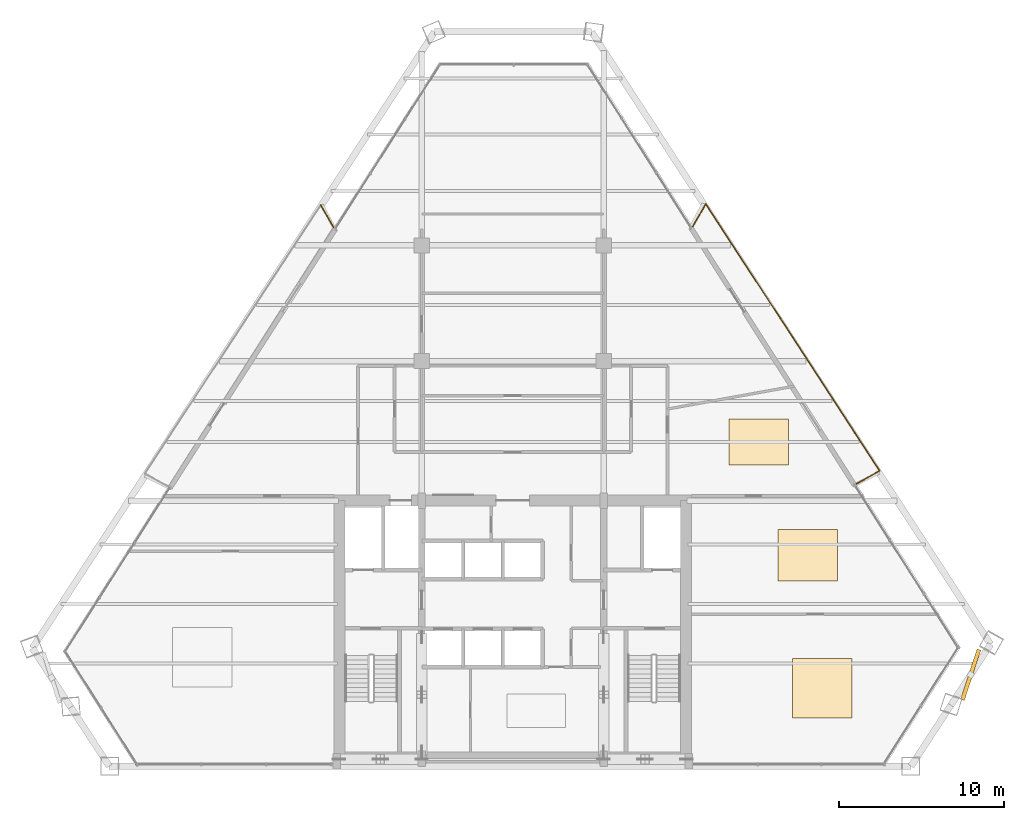
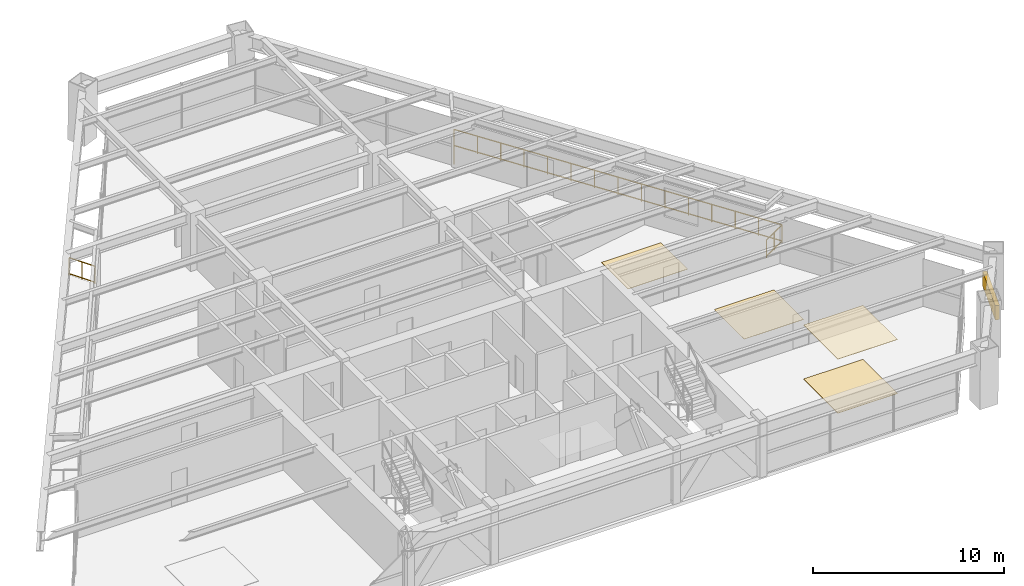
# One storey, part 15 of 15: 4 coverings, 4 railings, 1 shading device.
"""IFC4 building model written with IfcOpenShell, lengths in metres."""

from ifc_helpers import new_model, si_unit, direction, frame, origin, origin_2d, place, context, subcontext, project, spatial, rectangle, extrude, source, transform, mapped, material, layer, layer_set, type_object, type_shapes, element, save


model = new_model("IFC4")

# Units and contexts
model_context = context("Model", 3, precision=1e-05, world=origin(), true_north=direction((0.0, 1.0)))
body_context = subcontext(model_context, "Body", "Model", "MODEL_VIEW")
ifc_project = project(units=[si_unit("LENGTHUNIT", "METRE"), si_unit("AREAUNIT", "SQUARE_METRE"), si_unit("VOLUMEUNIT", "CUBIC_METRE"), si_unit("PLANEANGLEUNIT", "RADIAN"), si_unit("MASSUNIT", "GRAM", prefix="KILO")], contexts=[model_context])

# Site, building, storey
site_placement = place(None, origin())
site = spatial("IfcSite", under=ifc_project, at=site_placement, CompositionType="ELEMENT")
building_placement = place(site_placement, origin())
building = spatial("IfcBuilding", under=site, at=building_placement, Name="Varnakhor Terracotta Tower", CompositionType="ELEMENT")
storey_placement = place(building_placement, frame((0.0, 0.0, 158.89990234375)))
storey = spatial("IfcBuildingStorey", under=building, at=storey_placement, Name="L40", CompositionType="ELEMENT", Elevation=158.89990234375)

# Railings
ifc_material_1 = material(Name="Stainless Steel & Laminated Glass Guardrail", Category="steel")
railing_type = type_object("IfcRailingType", Name="RLG-LOGGIA-GUARD-1150", PredefinedType="GUARDRAIL", material=ifc_material_1)
railing_1_placement = place(storey_placement, frame((10.8916015625, 32.643798828125, 0.0)))
element("IfcRailing", 1, at=railing_1_placement, inside=storey, type_object=railing_type, Name="L40 E Loggia Glass Guard 1", PredefinedType="GUARDRAIL", context=body_context, shape_type="SweptSolid", body=[
    extrude(rectangle(XDim=0.048095703125, YDim=0.048095703125, at=origin_2d()), frame((0.0, 0.0, 1.1259765625), z_axis=(0.498582150373, 0.86684245358, 0.0), x_axis=(-0.86684245358, 0.498582150373, 0.0)), (0.0, 0.0, 1.0), 1.56982421875),
    extrude(rectangle(XDim=0.048095703125, YDim=0.048095703125, at=origin_2d()), frame((0.0, 0.0, 0.10009765625), z_axis=(0.498582150373, 0.86684245358, 0.0), x_axis=(-0.86684245358, 0.498582150373, 0.0)), (0.0, 0.0, 1.0), 1.56982421875),
    extrude(rectangle(XDim=0.0419921875, YDim=0.0419921875, at=origin_2d()), origin(), (0.0, 0.0, 1.0), 1.101806640625),
    extrude(rectangle(XDim=0.0419921875, YDim=0.0419921875, at=origin_2d()), frame((0.391357421875, 0.680419921875, 0.0)), (0.0, 0.0, 1.0), 1.101806640625),
    extrude(rectangle(XDim=0.0419921875, YDim=0.0419921875, at=origin_2d()), frame((0.78271484375, 1.36083984375, 0.0)), (0.0, 0.0, 1.0), 1.101806640625),
])
railing_2_placement = place(storey_placement, frame((11.67431640625, 34.004638671875, 0.0)))
element("IfcRailing", 2, at=railing_2_placement, inside=storey, type_object=railing_type, Name="L40 E Loggia Glass Guard 2", PredefinedType="GUARDRAIL", context=body_context, shape_type="SweptSolid", body=[
    extrude(rectangle(XDim=0.048095703125, YDim=0.048095703125, at=origin_2d()), frame((0.0, 0.0, 1.1259765625), z_axis=(0.545983599067, -0.837795863889, 0.0), x_axis=(0.837795863889, 0.545983599067, 0.0)), (0.0, 0.0, 1.0), 19.263427734375),
    extrude(rectangle(XDim=0.048095703125, YDim=0.048095703125, at=origin_2d()), frame((0.0, 0.0, 0.10009765625), z_axis=(0.545983599067, -0.837795863889, 0.0), x_axis=(0.837795863889, 0.545983599067, 0.0)), (0.0, 0.0, 1.0), 19.263427734375),
    extrude(rectangle(XDim=0.0419921875, YDim=0.0419921875, at=origin_2d()), origin(), (0.0, 0.0, 1.0), 1.101806640625),
    extrude(rectangle(XDim=0.0419921875, YDim=0.0419921875, at=origin_2d()), frame((0.751220703125, -1.15283203125, 0.0)), (0.0, 0.0, 1.0), 1.101806640625),
    extrude(rectangle(XDim=0.0419921875, YDim=0.0419921875, at=origin_2d()), frame((1.50244140625, -2.3056640625, 0.0)), (0.0, 0.0, 1.0), 1.101806640625),
    extrude(rectangle(XDim=0.0419921875, YDim=0.0419921875, at=origin_2d()), frame((2.253662109375, -3.458251953125, 0.0)), (0.0, 0.0, 1.0), 1.101806640625),
    extrude(rectangle(XDim=0.0419921875, YDim=0.0419921875, at=origin_2d()), frame((3.005126953125, -4.611083984375, 0.0)), (0.0, 0.0, 1.0), 1.101806640625),
    extrude(rectangle(XDim=0.0419921875, YDim=0.0419921875, at=origin_2d()), frame((3.75634765625, -5.763916015625, 0.0)), (0.0, 0.0, 1.0), 1.101806640625),
    extrude(rectangle(XDim=0.0419921875, YDim=0.0419921875, at=origin_2d()), frame((4.507568359375, -6.916748046875, 0.0)), (0.0, 0.0, 1.0), 1.101806640625),
    extrude(rectangle(XDim=0.0419921875, YDim=0.0419921875, at=origin_2d()), frame((5.2587890625, -8.0693359375, 0.0)), (0.0, 0.0, 1.0), 1.101806640625),
    extrude(rectangle(XDim=0.0419921875, YDim=0.0419921875, at=origin_2d()), frame((6.010009765625, -9.22216796875, 0.0)), (0.0, 0.0, 1.0), 1.101806640625),
    extrude(rectangle(XDim=0.0419921875, YDim=0.0419921875, at=origin_2d()), frame((6.76123046875, -10.375, 0.0)), (0.0, 0.0, 1.0), 1.101806640625),
    extrude(rectangle(XDim=0.0419921875, YDim=0.0419921875, at=origin_2d()), frame((7.512451171875, -11.52783203125, 0.0)), (0.0, 0.0, 1.0), 1.101806640625),
    extrude(rectangle(XDim=0.0419921875, YDim=0.0419921875, at=origin_2d()), frame((8.263916015625, -12.6806640625, 0.0)), (0.0, 0.0, 1.0), 1.101806640625),
    extrude(rectangle(XDim=0.0419921875, YDim=0.0419921875, at=origin_2d()), frame((9.01513671875, -13.833251953125, 0.0)), (0.0, 0.0, 1.0), 1.101806640625),
    extrude(rectangle(XDim=0.0419921875, YDim=0.0419921875, at=origin_2d()), frame((9.766357421875, -14.986083984375, 0.0)), (0.0, 0.0, 1.0), 1.101806640625),
    extrude(rectangle(XDim=0.0419921875, YDim=0.0419921875, at=origin_2d()), frame((10.517578125, -16.138916015625, 0.0)), (0.0, 0.0, 1.0), 1.101806640625),
])
railing_3_placement = place(storey_placement, frame((22.19189453125, 17.86572265625, 0.0)))
element("IfcRailing", 3, at=railing_3_placement, inside=storey, type_object=railing_type, Name="L40 E Loggia Glass Guard 3", PredefinedType="GUARDRAIL", context=body_context, shape_type="SweptSolid", body=[
    extrude(rectangle(XDim=0.048095703125, YDim=0.048095703125, at=origin_2d()), frame((0.0, 0.0, 1.1259765625), z_axis=(-0.872710012145, -0.488238911499, 0.0), x_axis=(0.488238911499, -0.872710012145, 0.0)), (0.0, 0.0, 1.0), 1.611572265625),
    extrude(rectangle(XDim=0.048095703125, YDim=0.048095703125, at=origin_2d()), frame((0.0, 0.0, 0.10009765625), z_axis=(-0.872710012145, -0.488238911499, 0.0), x_axis=(0.488238911499, -0.872710012145, 0.0)), (0.0, 0.0, 1.0), 1.611572265625),
    extrude(rectangle(XDim=0.0419921875, YDim=0.0419921875, at=origin_2d()), origin(), (0.0, 0.0, 1.0), 1.101806640625),
    extrude(rectangle(XDim=0.0419921875, YDim=0.0419921875, at=origin_2d()), frame((-0.703125, -0.3935546875, 0.0)), (0.0, 0.0, 1.0), 1.101806640625),
    extrude(rectangle(XDim=0.0419921875, YDim=0.0419921875, at=origin_2d()), frame((-1.406494140625, -0.786865234375, 0.0)), (0.0, 0.0, 1.0), 1.101806640625),
])
railing_4_placement = place(storey_placement, frame((-11.616455078125, 33.939208984375, 0.0)))
element("IfcRailing", 4, at=railing_4_placement, inside=storey, type_object=railing_type, Name="L40 W Loggia Glass Guard 3", PredefinedType="GUARDRAIL", context=body_context, shape_type="SweptSolid", body=[
    extrude(rectangle(XDim=0.048095703125, YDim=0.048095703125, at=origin_2d()), frame((0.0, 0.0, 1.1259765625), z_axis=(0.500723422065, -0.865607332799, 0.0), x_axis=(0.865607332799, 0.500723422065, 0.0)), (0.0, 0.0, 1.0), 1.569091796875),
    extrude(rectangle(XDim=0.048095703125, YDim=0.048095703125, at=origin_2d()), frame((0.0, 0.0, 0.10009765625), z_axis=(0.500723422065, -0.865607332799, 0.0), x_axis=(0.865607332799, 0.500723422065, 0.0)), (0.0, 0.0, 1.0), 1.569091796875),
    extrude(rectangle(XDim=0.0419921875, YDim=0.0419921875, at=origin_2d()), origin(), (0.0, 0.0, 1.0), 1.101806640625),
    extrude(rectangle(XDim=0.0419921875, YDim=0.0419921875, at=origin_2d()), frame((0.392822265625, -0.67919921875, 0.0)), (0.0, 0.0, 1.0), 1.101806640625),
    extrude(rectangle(XDim=0.0419921875, YDim=0.0419921875, at=origin_2d()), frame((0.78564453125, -1.358154296875, 0.0)), (0.0, 0.0, 1.0), 1.101806640625),
])

# Shading device
ifc_material_2 = material(Name="Extruded Architectural Terracotta Screen", Category="masonry")
shading_device_type = type_object("IfcShadingDeviceType", Name="TERRACOTTA SOLAR SCREEN E", PredefinedType="USERDEFINED", material=ifc_material_2)
shared_shape_1 = source(origin(), body_context, "Body", "SweptSolid", [
    extrude(rectangle(XDim=3.199951171875, YDim=0.239990234375, at=origin_2d()), origin(), (0.0, 0.0, 1.0), 0.919921875),
])
type_shapes(shading_device_type, [shared_shape_1])
shading_device_placement = place(storey_placement, frame((27.697998046875, 5.530029296875, 1.710205078125), z_axis=(0.0, 0.0, 1.0), x_axis=(0.310991615496, 0.950412655162, 0.0)))
element("IfcShadingDevice", 5, at=shading_device_placement, inside=storey, type_object=shading_device_type, Name="L40 E Terracotta Solar Screen", ObjectType="SCREEN", PredefinedType="USERDEFINED", context=body_context, shape_type="MappedRepresentation", body=[
    mapped(shared_shape_1, transform((0.0, 0.0, 0.0), scale=1.0)),
])

# Coverings
ifc_material_3 = material(Name="Honed Riyadh Limestone Flooring", Category="masonry")
ifc_layer_1 = layer(ifc_material_3, 0.030029296875, Name="Honed Riyadh Limestone Flooring")
ifc_layer_set_1 = layer_set([ifc_layer_1], Name="Honed Riyadh Limestone Flooring")
covering_type_1 = type_object("IfcCoveringType", Name="COV-FLOOR-LIMESTONE", PredefinedType="FLOORING", material=ifc_layer_set_1)
shared_shape_2 = source(origin(), body_context, "Body", "SweptSolid", [
    extrude(rectangle(XDim=3.60009765625, YDim=3.60009765625, at=origin_2d()), origin(), (0.0, 0.0, 1.0), 0.02001953125),
])
covering_1_placement = place(storey_placement, frame((18.72412109375, 4.701904296875, 0.0), z_axis=(0.0, 0.0, 1.0), x_axis=(1.0, 0.0, 0.0)))
element("IfcCovering", 6, at=covering_1_placement, inside=storey, type_object=covering_type_1, Name="L40 Honed Stone Flooring 2", PredefinedType="FLOORING", context=body_context, shape_type="MappedRepresentation", body=[
    mapped(shared_shape_2, transform((0.0, 0.0, 0.0), scale=1.0)),
])
ifc_material_4 = material(Name="Perforated Acoustic Mineral-Fibre Ceiling", Category="gypsum")
ifc_layer_2 = layer(ifc_material_4, 0.02490234375, Name="Perforated Acoustic Mineral-Fibre Ceiling")
ifc_layer_set_2 = layer_set([ifc_layer_2], Name="Perforated Acoustic Mineral-Fibre Ceiling")
covering_type_2 = type_object("IfcCoveringType", Name="COV-CEILING-ACOUSTIC", PredefinedType="CEILING", material=ifc_layer_set_2)
shared_shape_3 = source(origin(), body_context, "Body", "SweptSolid", [
    extrude(rectangle(XDim=3.60009765625, YDim=3.60009765625, at=origin_2d()), origin(), (0.0, 0.0, 1.0), 0.02392578125),
])
covering_2_placement = place(storey_placement, frame((18.72412109375, 4.701904296875, 3.446044921875), z_axis=(0.0, 0.0, 1.0), x_axis=(1.0, 0.0, 0.0)))
element("IfcCovering", 7, at=covering_2_placement, inside=storey, type_object=covering_type_2, Name="L40 Acoustic Ceiling Panel 2", PredefinedType="CEILING", context=body_context, shape_type="MappedRepresentation", body=[
    mapped(shared_shape_3, transform((0.0, 0.0, 0.0), scale=1.0)),
])
shared_shape_4 = source(origin(), body_context, "Body", "SweptSolid", [
    extrude(rectangle(XDim=3.60009765625, YDim=3.1220703125, at=origin_2d()), origin(), (0.0, 0.0, 1.0), 0.02001953125),
])
covering_3_placement = place(storey_placement, frame((17.85009765625, 12.763916015625, 0.0), z_axis=(0.0, 0.0, 1.0), x_axis=(1.0, 0.0, 0.0)))
element("IfcCovering", 8, at=covering_3_placement, inside=storey, type_object=covering_type_1, Name="L40 Honed Stone Flooring 4", PredefinedType="FLOORING", context=body_context, shape_type="MappedRepresentation", body=[
    mapped(shared_shape_4, transform((0.0, 0.0, 0.0), scale=1.0)),
])
shared_shape_5 = source(origin(), body_context, "Body", "SweptSolid", [
    extrude(rectangle(XDim=3.60009765625, YDim=2.791015625, at=origin_2d()), origin(), (0.0, 0.0, 1.0), 0.02001953125),
])
covering_4_placement = place(storey_placement, frame((14.885009765625, 19.60693359375, 0.0), z_axis=(0.0, 0.0, 1.0), x_axis=(1.0, 0.0, 0.0)))
element("IfcCovering", 9, at=covering_4_placement, inside=storey, type_object=covering_type_1, Name="L40 Honed Stone Flooring 5", PredefinedType="FLOORING", context=body_context, shape_type="MappedRepresentation", body=[
    mapped(shared_shape_5, transform((0.0, 0.0, 0.0), scale=1.0)),
])

save(model, "model.ifc")
